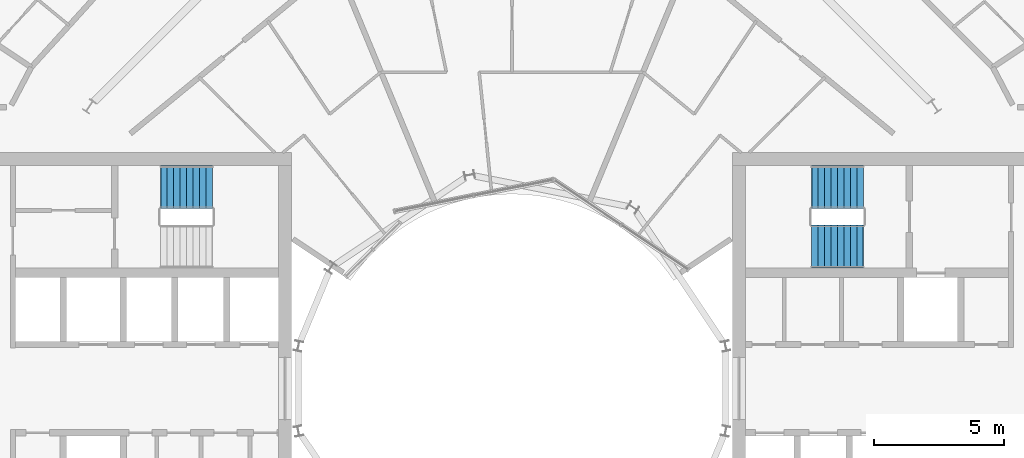
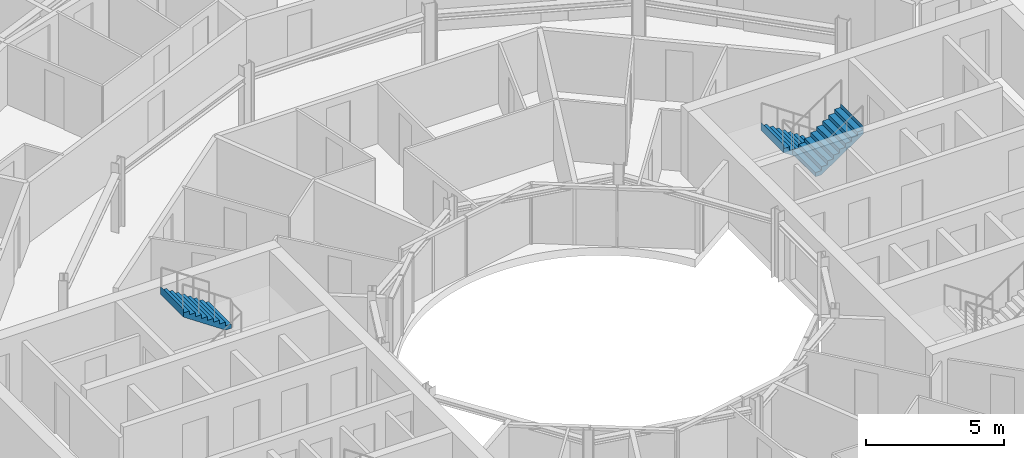
# One storey, part 25 of 26: 3 stair flights, 2 elements without a shape of their own.
"""IFC4 building model written with IfcOpenShell, lengths in metres."""

from ifc_helpers import new_model, si_unit, direction, frame, origin, place, context, subcontext, project, spatial, triangles, material, type_object, element, aggregate, save


model = new_model("IFC4")

# Units and contexts
model_context = context("Model", 3, precision=1e-05, world=origin(), true_north=direction((0.0, 1.0)))
body_context = subcontext(model_context, "Body", "Model", "MODEL_VIEW")
ifc_project = project(units=[si_unit("LENGTHUNIT", "METRE"), si_unit("AREAUNIT", "SQUARE_METRE"), si_unit("VOLUMEUNIT", "CUBIC_METRE"), si_unit("PLANEANGLEUNIT", "RADIAN"), si_unit("MASSUNIT", "GRAM", prefix="KILO")], contexts=[model_context])

# Site, building, storey
site_placement = place(None, origin())
site = spatial("IfcSite", under=ifc_project, at=site_placement, CompositionType="ELEMENT")
building_placement = place(site_placement, origin())
building = spatial("IfcBuilding", under=site, at=building_placement, Name="Maasbend Ring Residences", CompositionType="ELEMENT")
storey_placement = place(building_placement, frame((0.0, 0.0, 176.85009765625)))
storey = spatial("IfcBuildingStorey", under=building, at=storey_placement, Name="L51", CompositionType="ELEMENT", Elevation=176.85009765625)

# Stair, stair flights
ifc_material_1 = material(Name="Concrete C40/50", Category="concrete")
stair_type = type_object("IfcStairType", Name="CORE STAIR 18 RISERS", PredefinedType="HALF_TURN_STAIR", material=ifc_material_1)
stair_1_placement = place(storey_placement, origin())
stair_1 = element("IfcStair", 1, at=stair_1_placement, inside=storey, type_object=stair_type, Name="L51 Exit stair ST-E1", PredefinedType="HALF_TURN_STAIR")
ifc_material_2 = material(Name="Concrete C40/50", Category="concrete")
stair_flight_type = type_object("IfcStairFlightType", Name="CORE STAIR FLIGHT 1650", PredefinedType="STRAIGHT", material=ifc_material_2)
stair_flight_1_placement = place(storey_placement, frame((13.550048828125, 7.77490234375, 0.0), z_axis=(0.0, 0.0, 1.0), x_axis=(-1.0, 0.0, 0.0)))
stair_flight_1 = element("IfcStairFlight", 2, at=stair_flight_1_placement, type_object=stair_flight_type, Name="ST-E1 flight 1", NumberOfRisers=9, NumberOfTreads=8, PredefinedType="STRAIGHT", RiserHeight=0.169444444, TreadLength=0.25, context=body_context, shape_type="Tessellation", body=[
    triangles([(0.24072265625, 0.824951171875, -0.02001953125), (2.0029296875, 0.824951171875, 1.174560546875), (2.0029296875, 0.824951171875, 1.52490234375), (1.989990234375, 0.824951171875, 1.35546875), (1.75, 0.824951171875, 1.35546875), (1.75, 0.824951171875, 1.18603515625), (1.5, 0.824951171875, 1.18603515625), (1.5, 0.824951171875, 1.0166015625), (1.25, 0.824951171875, 1.0166015625), (1.25, 0.824951171875, 0.84716796875), (1.0, 0.824951171875, 0.84716796875), (1.0, 0.824951171875, 0.677734375), (0.75, 0.824951171875, 0.677734375), (0.75, 0.824951171875, 0.50830078125), (0.5, 0.824951171875, 0.50830078125), (0.5, 0.824951171875, 0.3388671875), (0.25, 0.824951171875, 0.3388671875), (0.25, 0.824951171875, 0.16943359375), (0.0, 0.824951171875, 0.16943359375), (0.0, 0.824951171875, 0.0), (-0.0029296875, 0.824951171875, 0.0), (-0.0029296875, 0.824951171875, -0.02001953125), (0.24072265625, 0.27490234375, -0.02001953125), (2.0029296875, 0.27490234375, 1.174560546875), (2.0029296875, 0.27490234375, 1.52490234375), (1.989990234375, 0.27490234375, 1.35546875), (1.75, 0.27490234375, 1.35546875), (1.75, 0.27490234375, 1.18603515625), (1.5, 0.27490234375, 1.18603515625), (1.5, 0.27490234375, 1.0166015625), (1.25, 0.27490234375, 1.0166015625), (1.25, 0.27490234375, 0.84716796875), (1.0, 0.27490234375, 0.84716796875), (1.0, 0.27490234375, 0.677734375), (0.75, 0.27490234375, 0.677734375), (0.75, 0.27490234375, 0.50830078125), (0.5, 0.27490234375, 0.50830078125), (0.5, 0.27490234375, 0.3388671875), (0.25, 0.27490234375, 0.3388671875), (0.25, 0.27490234375, 0.16943359375), (0.0, 0.27490234375, 0.16943359375), (0.0, 0.27490234375, 0.0), (-0.0029296875, 0.27490234375, 0.0), (-0.0029296875, 0.27490234375, -0.02001953125), (0.24072265625, -0.27490234375, -0.02001953125), (2.0029296875, -0.27490234375, 1.174560546875), (2.0029296875, -0.27490234375, 1.52490234375), (1.989990234375, -0.27490234375, 1.35546875), (1.75, -0.27490234375, 1.35546875), (1.75, -0.27490234375, 1.18603515625), (1.5, -0.27490234375, 1.18603515625), (1.5, -0.27490234375, 1.0166015625), (1.25, -0.27490234375, 1.0166015625), (1.25, -0.27490234375, 0.84716796875), (1.0, -0.27490234375, 0.84716796875), (1.0, -0.27490234375, 0.677734375), (0.75, -0.27490234375, 0.677734375), (0.75, -0.27490234375, 0.50830078125), (0.5, -0.27490234375, 0.50830078125), (0.5, -0.27490234375, 0.3388671875), (0.25, -0.27490234375, 0.3388671875), (0.25, -0.27490234375, 0.16943359375), (0.0, -0.27490234375, 0.16943359375), (0.0, -0.27490234375, 0.0), (-0.0029296875, -0.27490234375, 0.0), (-0.0029296875, -0.27490234375, -0.02001953125), (0.24072265625, -0.824951171875, -0.02001953125), (2.0029296875, -0.824951171875, 1.174560546875), (2.0029296875, -0.824951171875, 1.52490234375), (1.989990234375, -0.824951171875, 1.35546875), (1.75, -0.824951171875, 1.35546875), (1.75, -0.824951171875, 1.18603515625), (1.5, -0.824951171875, 1.18603515625), (1.5, -0.824951171875, 1.0166015625), (1.25, -0.824951171875, 1.0166015625), (1.25, -0.824951171875, 0.84716796875), (1.0, -0.824951171875, 0.84716796875), (1.0, -0.824951171875, 0.677734375), (0.75, -0.824951171875, 0.677734375), (0.75, -0.824951171875, 0.50830078125), (0.5, -0.824951171875, 0.50830078125), (0.5, -0.824951171875, 0.3388671875), (0.25, -0.824951171875, 0.3388671875), (0.25, -0.824951171875, 0.16943359375), (0.0, -0.824951171875, 0.16943359375), (0.0, -0.824951171875, 0.0), (-0.0029296875, -0.824951171875, 0.0), (-0.0029296875, -0.824951171875, -0.02001953125)], [[1, 2, 24], [1, 24, 23], [23, 24, 46], [23, 46, 45], [45, 46, 68], [45, 68, 67], [2, 3, 25], [2, 25, 24], [24, 25, 47], [24, 47, 46], [46, 47, 69], [46, 69, 68], [3, 4, 26], [3, 26, 25], [25, 26, 48], [25, 48, 47], [47, 48, 70], [47, 70, 69], [4, 5, 27], [4, 27, 26], [26, 27, 49], [26, 49, 48], [48, 49, 71], [48, 71, 70], [5, 6, 28], [5, 28, 27], [27, 28, 50], [27, 50, 49], [49, 50, 72], [49, 72, 71], [6, 7, 29], [6, 29, 28], [28, 29, 51], [28, 51, 50], [50, 51, 73], [50, 73, 72], [7, 8, 30], [7, 30, 29], [29, 30, 52], [29, 52, 51], [51, 52, 74], [51, 74, 73], [8, 9, 31], [8, 31, 30], [30, 31, 53], [30, 53, 52], [52, 53, 75], [52, 75, 74], [9, 10, 32], [9, 32, 31], [31, 32, 54], [31, 54, 53], [53, 54, 76], [53, 76, 75], [10, 11, 33], [10, 33, 32], [32, 33, 55], [32, 55, 54], [54, 55, 77], [54, 77, 76], [11, 12, 34], [11, 34, 33], [33, 34, 56], [33, 56, 55], [55, 56, 78], [55, 78, 77], [12, 13, 35], [12, 35, 34], [34, 35, 57], [34, 57, 56], [56, 57, 79], [56, 79, 78], [13, 14, 36], [13, 36, 35], [35, 36, 58], [35, 58, 57], [57, 58, 80], [57, 80, 79], [14, 15, 37], [14, 37, 36], [36, 37, 59], [36, 59, 58], [58, 59, 81], [58, 81, 80], [15, 16, 38], [15, 38, 37], [37, 38, 60], [37, 60, 59], [59, 60, 82], [59, 82, 81], [16, 17, 39], [16, 39, 38], [38, 39, 61], [38, 61, 60], [60, 61, 83], [60, 83, 82], [17, 18, 40], [17, 40, 39], [39, 40, 62], [39, 62, 61], [61, 62, 84], [61, 84, 83], [18, 19, 41], [18, 41, 40], [40, 41, 63], [40, 63, 62], [62, 63, 85], [62, 85, 84], [19, 20, 42], [19, 42, 41], [41, 42, 64], [41, 64, 63], [63, 64, 86], [63, 86, 85], [20, 21, 43], [20, 43, 42], [42, 43, 65], [42, 65, 64], [64, 65, 87], [64, 87, 86], [21, 22, 44], [21, 44, 43], [43, 44, 66], [43, 66, 65], [65, 66, 88], [65, 88, 87], [22, 1, 23], [22, 23, 44], [44, 23, 45], [44, 45, 66], [66, 45, 67], [66, 67, 88], [22, 2, 1], [2, 4, 3], [2, 5, 4], [2, 6, 5], [22, 6, 2], [6, 8, 7], [22, 8, 6], [8, 10, 9], [22, 10, 8], [10, 12, 11], [22, 12, 10], [12, 14, 13], [22, 14, 12], [14, 16, 15], [22, 16, 14], [16, 18, 17], [22, 18, 16], [18, 20, 19], [22, 20, 18], [20, 22, 21], [88, 67, 68], [68, 69, 70], [68, 70, 71], [68, 71, 72], [88, 68, 72], [72, 73, 74], [88, 72, 74], [74, 75, 76], [88, 74, 76], [76, 77, 78], [88, 76, 78], [78, 79, 80], [88, 78, 80], [80, 81, 82], [88, 80, 82], [82, 83, 84], [88, 82, 84], [84, 85, 86], [88, 84, 86], [86, 87, 88]], closed=True),
])
stair_flight_2_placement = place(storey_placement, frame((11.550048828125, 5.47509765625, 1.52490234375), z_axis=(0.0, 0.0, 1.0), x_axis=(1.0, 0.0, 0.0)))
stair_flight_2 = element("IfcStairFlight", 3, at=stair_flight_2_placement, type_object=stair_flight_type, Name="ST-E1 flight 2", NumberOfRisers=9, NumberOfTreads=8, PredefinedType="STRAIGHT", RiserHeight=0.169444444, TreadLength=0.25, context=body_context, shape_type="Tessellation", body=[
    triangles([(0.24072265625, 0.824951171875, -0.02001953125), (2.0029296875, 0.824951171875, 1.174560546875), (2.0029296875, 0.824951171875, 1.52490234375), (1.989990234375, 0.824951171875, 1.35546875), (1.75, 0.824951171875, 1.35546875), (1.75, 0.824951171875, 1.18603515625), (1.5, 0.824951171875, 1.18603515625), (1.5, 0.824951171875, 1.0166015625), (1.25, 0.824951171875, 1.0166015625), (1.25, 0.824951171875, 0.84716796875), (1.0, 0.824951171875, 0.84716796875), (1.0, 0.824951171875, 0.677734375), (0.75, 0.824951171875, 0.677734375), (0.75, 0.824951171875, 0.50830078125), (0.5, 0.824951171875, 0.50830078125), (0.5, 0.824951171875, 0.3388671875), (0.25, 0.824951171875, 0.3388671875), (0.25, 0.824951171875, 0.16943359375), (0.0, 0.824951171875, 0.16943359375), (0.0, 0.824951171875, 0.0), (-0.0029296875, 0.824951171875, 0.0), (-0.0029296875, 0.824951171875, -0.02001953125), (0.24072265625, 0.27490234375, -0.02001953125), (2.0029296875, 0.27490234375, 1.174560546875), (2.0029296875, 0.27490234375, 1.52490234375), (1.989990234375, 0.27490234375, 1.35546875), (1.75, 0.27490234375, 1.35546875), (1.75, 0.27490234375, 1.18603515625), (1.5, 0.27490234375, 1.18603515625), (1.5, 0.27490234375, 1.0166015625), (1.25, 0.27490234375, 1.0166015625), (1.25, 0.27490234375, 0.84716796875), (1.0, 0.27490234375, 0.84716796875), (1.0, 0.27490234375, 0.677734375), (0.75, 0.27490234375, 0.677734375), (0.75, 0.27490234375, 0.50830078125), (0.5, 0.27490234375, 0.50830078125), (0.5, 0.27490234375, 0.3388671875), (0.25, 0.27490234375, 0.3388671875), (0.25, 0.27490234375, 0.16943359375), (0.0, 0.27490234375, 0.16943359375), (0.0, 0.27490234375, 0.0), (-0.0029296875, 0.27490234375, 0.0), (-0.0029296875, 0.27490234375, -0.02001953125), (0.24072265625, -0.27490234375, -0.02001953125), (2.0029296875, -0.27490234375, 1.174560546875), (2.0029296875, -0.27490234375, 1.52490234375), (1.989990234375, -0.27490234375, 1.35546875), (1.75, -0.27490234375, 1.35546875), (1.75, -0.27490234375, 1.18603515625), (1.5, -0.27490234375, 1.18603515625), (1.5, -0.27490234375, 1.0166015625), (1.25, -0.27490234375, 1.0166015625), (1.25, -0.27490234375, 0.84716796875), (1.0, -0.27490234375, 0.84716796875), (1.0, -0.27490234375, 0.677734375), (0.75, -0.27490234375, 0.677734375), (0.75, -0.27490234375, 0.50830078125), (0.5, -0.27490234375, 0.50830078125), (0.5, -0.27490234375, 0.3388671875), (0.25, -0.27490234375, 0.3388671875), (0.25, -0.27490234375, 0.16943359375), (0.0, -0.27490234375, 0.16943359375), (0.0, -0.27490234375, 0.0), (-0.0029296875, -0.27490234375, 0.0), (-0.0029296875, -0.27490234375, -0.02001953125), (0.24072265625, -0.824951171875, -0.02001953125), (2.0029296875, -0.824951171875, 1.174560546875), (2.0029296875, -0.824951171875, 1.52490234375), (1.989990234375, -0.824951171875, 1.35546875), (1.75, -0.824951171875, 1.35546875), (1.75, -0.824951171875, 1.18603515625), (1.5, -0.824951171875, 1.18603515625), (1.5, -0.824951171875, 1.0166015625), (1.25, -0.824951171875, 1.0166015625), (1.25, -0.824951171875, 0.84716796875), (1.0, -0.824951171875, 0.84716796875), (1.0, -0.824951171875, 0.677734375), (0.75, -0.824951171875, 0.677734375), (0.75, -0.824951171875, 0.50830078125), (0.5, -0.824951171875, 0.50830078125), (0.5, -0.824951171875, 0.3388671875), (0.25, -0.824951171875, 0.3388671875), (0.25, -0.824951171875, 0.16943359375), (0.0, -0.824951171875, 0.16943359375), (0.0, -0.824951171875, 0.0), (-0.0029296875, -0.824951171875, 0.0), (-0.0029296875, -0.824951171875, -0.02001953125)], [[1, 2, 24], [1, 24, 23], [23, 24, 46], [23, 46, 45], [45, 46, 68], [45, 68, 67], [2, 3, 25], [2, 25, 24], [24, 25, 47], [24, 47, 46], [46, 47, 69], [46, 69, 68], [3, 4, 26], [3, 26, 25], [25, 26, 48], [25, 48, 47], [47, 48, 70], [47, 70, 69], [4, 5, 27], [4, 27, 26], [26, 27, 49], [26, 49, 48], [48, 49, 71], [48, 71, 70], [5, 6, 28], [5, 28, 27], [27, 28, 50], [27, 50, 49], [49, 50, 72], [49, 72, 71], [6, 7, 29], [6, 29, 28], [28, 29, 51], [28, 51, 50], [50, 51, 73], [50, 73, 72], [7, 8, 30], [7, 30, 29], [29, 30, 52], [29, 52, 51], [51, 52, 74], [51, 74, 73], [8, 9, 31], [8, 31, 30], [30, 31, 53], [30, 53, 52], [52, 53, 75], [52, 75, 74], [9, 10, 32], [9, 32, 31], [31, 32, 54], [31, 54, 53], [53, 54, 76], [53, 76, 75], [10, 11, 33], [10, 33, 32], [32, 33, 55], [32, 55, 54], [54, 55, 77], [54, 77, 76], [11, 12, 34], [11, 34, 33], [33, 34, 56], [33, 56, 55], [55, 56, 78], [55, 78, 77], [12, 13, 35], [12, 35, 34], [34, 35, 57], [34, 57, 56], [56, 57, 79], [56, 79, 78], [13, 14, 36], [13, 36, 35], [35, 36, 58], [35, 58, 57], [57, 58, 80], [57, 80, 79], [14, 15, 37], [14, 37, 36], [36, 37, 59], [36, 59, 58], [58, 59, 81], [58, 81, 80], [15, 16, 38], [15, 38, 37], [37, 38, 60], [37, 60, 59], [59, 60, 82], [59, 82, 81], [16, 17, 39], [16, 39, 38], [38, 39, 61], [38, 61, 60], [60, 61, 83], [60, 83, 82], [17, 18, 40], [17, 40, 39], [39, 40, 62], [39, 62, 61], [61, 62, 84], [61, 84, 83], [18, 19, 41], [18, 41, 40], [40, 41, 63], [40, 63, 62], [62, 63, 85], [62, 85, 84], [19, 20, 42], [19, 42, 41], [41, 42, 64], [41, 64, 63], [63, 64, 86], [63, 86, 85], [20, 21, 43], [20, 43, 42], [42, 43, 65], [42, 65, 64], [64, 65, 87], [64, 87, 86], [21, 22, 44], [21, 44, 43], [43, 44, 66], [43, 66, 65], [65, 66, 88], [65, 88, 87], [22, 1, 23], [22, 23, 44], [44, 23, 45], [44, 45, 66], [66, 45, 67], [66, 67, 88], [22, 2, 1], [2, 4, 3], [2, 5, 4], [2, 6, 5], [22, 6, 2], [6, 8, 7], [22, 8, 6], [8, 10, 9], [22, 10, 8], [10, 12, 11], [22, 12, 10], [12, 14, 13], [22, 14, 12], [14, 16, 15], [22, 16, 14], [16, 18, 17], [22, 18, 16], [18, 20, 19], [22, 20, 18], [20, 22, 21], [88, 67, 68], [68, 69, 70], [68, 70, 71], [68, 71, 72], [88, 68, 72], [72, 73, 74], [88, 72, 74], [74, 75, 76], [88, 74, 76], [76, 77, 78], [88, 76, 78], [78, 79, 80], [88, 78, 80], [80, 81, 82], [88, 80, 82], [82, 83, 84], [88, 82, 84], [84, 85, 86], [88, 84, 86], [86, 87, 88]], closed=True),
])
aggregate(stair_1, [stair_flight_1, stair_flight_2])

# Stair, stair flight
stair_2_placement = place(storey_placement, origin())
stair_2 = element("IfcStair", 4, at=stair_2_placement, inside=storey, type_object=stair_type, Name="L51 Exit stair ST-W2", PredefinedType="HALF_TURN_STAIR")
stair_flight_3_placement = place(storey_placement, frame((-11.550048828125, 7.77490234375, 1.52490234375), z_axis=(0.0, 0.0, 1.0), x_axis=(-1.0, 0.0, 0.0)))
stair_flight_3 = element("IfcStairFlight", 5, at=stair_flight_3_placement, type_object=stair_flight_type, Name="ST-W2 flight 2", NumberOfRisers=9, NumberOfTreads=8, PredefinedType="STRAIGHT", RiserHeight=0.169444444, TreadLength=0.25, context=body_context, shape_type="Tessellation", body=[
    triangles([(0.24072265625, 0.824951171875, -0.02001953125), (2.0029296875, 0.824951171875, 1.174560546875), (2.0029296875, 0.824951171875, 1.52490234375), (1.989990234375, 0.824951171875, 1.35546875), (1.75, 0.824951171875, 1.35546875), (1.75, 0.824951171875, 1.18603515625), (1.5, 0.824951171875, 1.18603515625), (1.5, 0.824951171875, 1.0166015625), (1.25, 0.824951171875, 1.0166015625), (1.25, 0.824951171875, 0.84716796875), (1.0, 0.824951171875, 0.84716796875), (1.0, 0.824951171875, 0.677734375), (0.75, 0.824951171875, 0.677734375), (0.75, 0.824951171875, 0.50830078125), (0.5, 0.824951171875, 0.50830078125), (0.5, 0.824951171875, 0.3388671875), (0.25, 0.824951171875, 0.3388671875), (0.25, 0.824951171875, 0.16943359375), (0.0, 0.824951171875, 0.16943359375), (0.0, 0.824951171875, 0.0), (-0.0029296875, 0.824951171875, 0.0), (-0.0029296875, 0.824951171875, -0.02001953125), (0.24072265625, 0.27490234375, -0.02001953125), (2.0029296875, 0.27490234375, 1.174560546875), (2.0029296875, 0.27490234375, 1.52490234375), (1.989990234375, 0.27490234375, 1.35546875), (1.75, 0.27490234375, 1.35546875), (1.75, 0.27490234375, 1.18603515625), (1.5, 0.27490234375, 1.18603515625), (1.5, 0.27490234375, 1.0166015625), (1.25, 0.27490234375, 1.0166015625), (1.25, 0.27490234375, 0.84716796875), (1.0, 0.27490234375, 0.84716796875), (1.0, 0.27490234375, 0.677734375), (0.75, 0.27490234375, 0.677734375), (0.75, 0.27490234375, 0.50830078125), (0.5, 0.27490234375, 0.50830078125), (0.5, 0.27490234375, 0.3388671875), (0.25, 0.27490234375, 0.3388671875), (0.25, 0.27490234375, 0.16943359375), (0.0, 0.27490234375, 0.16943359375), (0.0, 0.27490234375, 0.0), (-0.0029296875, 0.27490234375, 0.0), (-0.0029296875, 0.27490234375, -0.02001953125), (0.24072265625, -0.27490234375, -0.02001953125), (2.0029296875, -0.27490234375, 1.174560546875), (2.0029296875, -0.27490234375, 1.52490234375), (1.989990234375, -0.27490234375, 1.35546875), (1.75, -0.27490234375, 1.35546875), (1.75, -0.27490234375, 1.18603515625), (1.5, -0.27490234375, 1.18603515625), (1.5, -0.27490234375, 1.0166015625), (1.25, -0.27490234375, 1.0166015625), (1.25, -0.27490234375, 0.84716796875), (1.0, -0.27490234375, 0.84716796875), (1.0, -0.27490234375, 0.677734375), (0.75, -0.27490234375, 0.677734375), (0.75, -0.27490234375, 0.50830078125), (0.5, -0.27490234375, 0.50830078125), (0.5, -0.27490234375, 0.3388671875), (0.25, -0.27490234375, 0.3388671875), (0.25, -0.27490234375, 0.16943359375), (0.0, -0.27490234375, 0.16943359375), (0.0, -0.27490234375, 0.0), (-0.0029296875, -0.27490234375, 0.0), (-0.0029296875, -0.27490234375, -0.02001953125), (0.24072265625, -0.824951171875, -0.02001953125), (2.0029296875, -0.824951171875, 1.174560546875), (2.0029296875, -0.824951171875, 1.52490234375), (1.989990234375, -0.824951171875, 1.35546875), (1.75, -0.824951171875, 1.35546875), (1.75, -0.824951171875, 1.18603515625), (1.5, -0.824951171875, 1.18603515625), (1.5, -0.824951171875, 1.0166015625), (1.25, -0.824951171875, 1.0166015625), (1.25, -0.824951171875, 0.84716796875), (1.0, -0.824951171875, 0.84716796875), (1.0, -0.824951171875, 0.677734375), (0.75, -0.824951171875, 0.677734375), (0.75, -0.824951171875, 0.50830078125), (0.5, -0.824951171875, 0.50830078125), (0.5, -0.824951171875, 0.3388671875), (0.25, -0.824951171875, 0.3388671875), (0.25, -0.824951171875, 0.16943359375), (0.0, -0.824951171875, 0.16943359375), (0.0, -0.824951171875, 0.0), (-0.0029296875, -0.824951171875, 0.0), (-0.0029296875, -0.824951171875, -0.02001953125)], [[1, 2, 24], [1, 24, 23], [23, 24, 46], [23, 46, 45], [45, 46, 68], [45, 68, 67], [2, 3, 25], [2, 25, 24], [24, 25, 47], [24, 47, 46], [46, 47, 69], [46, 69, 68], [3, 4, 26], [3, 26, 25], [25, 26, 48], [25, 48, 47], [47, 48, 70], [47, 70, 69], [4, 5, 27], [4, 27, 26], [26, 27, 49], [26, 49, 48], [48, 49, 71], [48, 71, 70], [5, 6, 28], [5, 28, 27], [27, 28, 50], [27, 50, 49], [49, 50, 72], [49, 72, 71], [6, 7, 29], [6, 29, 28], [28, 29, 51], [28, 51, 50], [50, 51, 73], [50, 73, 72], [7, 8, 30], [7, 30, 29], [29, 30, 52], [29, 52, 51], [51, 52, 74], [51, 74, 73], [8, 9, 31], [8, 31, 30], [30, 31, 53], [30, 53, 52], [52, 53, 75], [52, 75, 74], [9, 10, 32], [9, 32, 31], [31, 32, 54], [31, 54, 53], [53, 54, 76], [53, 76, 75], [10, 11, 33], [10, 33, 32], [32, 33, 55], [32, 55, 54], [54, 55, 77], [54, 77, 76], [11, 12, 34], [11, 34, 33], [33, 34, 56], [33, 56, 55], [55, 56, 78], [55, 78, 77], [12, 13, 35], [12, 35, 34], [34, 35, 57], [34, 57, 56], [56, 57, 79], [56, 79, 78], [13, 14, 36], [13, 36, 35], [35, 36, 58], [35, 58, 57], [57, 58, 80], [57, 80, 79], [14, 15, 37], [14, 37, 36], [36, 37, 59], [36, 59, 58], [58, 59, 81], [58, 81, 80], [15, 16, 38], [15, 38, 37], [37, 38, 60], [37, 60, 59], [59, 60, 82], [59, 82, 81], [16, 17, 39], [16, 39, 38], [38, 39, 61], [38, 61, 60], [60, 61, 83], [60, 83, 82], [17, 18, 40], [17, 40, 39], [39, 40, 62], [39, 62, 61], [61, 62, 84], [61, 84, 83], [18, 19, 41], [18, 41, 40], [40, 41, 63], [40, 63, 62], [62, 63, 85], [62, 85, 84], [19, 20, 42], [19, 42, 41], [41, 42, 64], [41, 64, 63], [63, 64, 86], [63, 86, 85], [20, 21, 43], [20, 43, 42], [42, 43, 65], [42, 65, 64], [64, 65, 87], [64, 87, 86], [21, 22, 44], [21, 44, 43], [43, 44, 66], [43, 66, 65], [65, 66, 88], [65, 88, 87], [22, 1, 23], [22, 23, 44], [44, 23, 45], [44, 45, 66], [66, 45, 67], [66, 67, 88], [22, 2, 1], [2, 4, 3], [2, 5, 4], [2, 6, 5], [22, 6, 2], [6, 8, 7], [22, 8, 6], [8, 10, 9], [22, 10, 8], [10, 12, 11], [22, 12, 10], [12, 14, 13], [22, 14, 12], [14, 16, 15], [22, 16, 14], [16, 18, 17], [22, 18, 16], [18, 20, 19], [22, 20, 18], [20, 22, 21], [88, 67, 68], [68, 69, 70], [68, 70, 71], [68, 71, 72], [88, 68, 72], [72, 73, 74], [88, 72, 74], [74, 75, 76], [88, 74, 76], [76, 77, 78], [88, 76, 78], [78, 79, 80], [88, 78, 80], [80, 81, 82], [88, 80, 82], [82, 83, 84], [88, 82, 84], [84, 85, 86], [88, 84, 86], [86, 87, 88]], closed=True),
])
aggregate(stair_2, [stair_flight_3])

save(model, "model.ifc")
